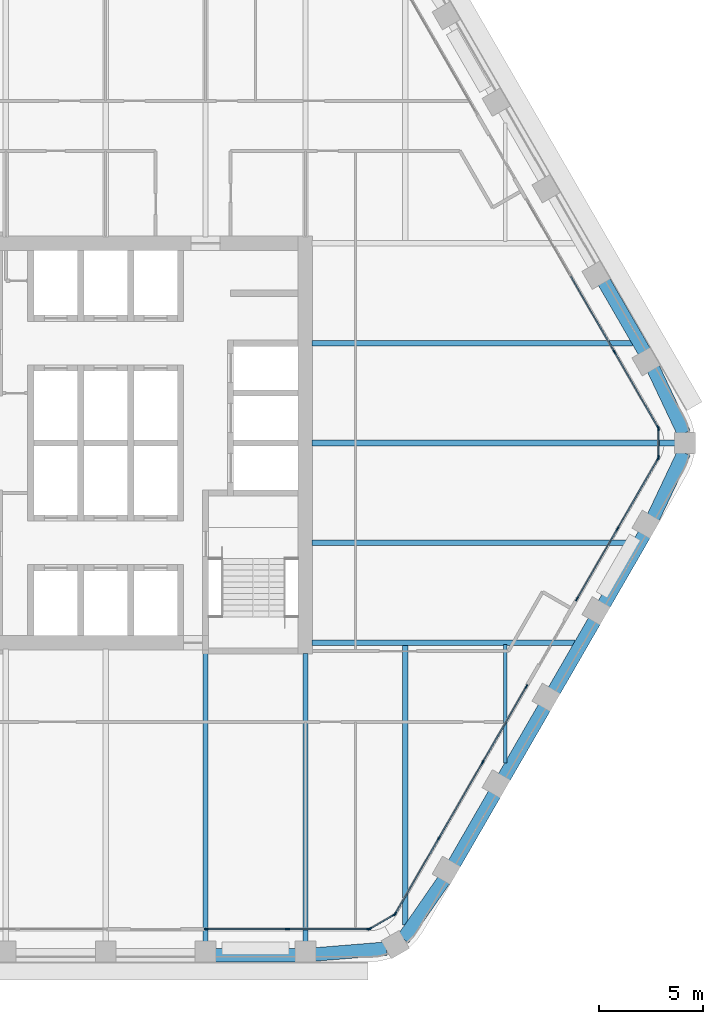
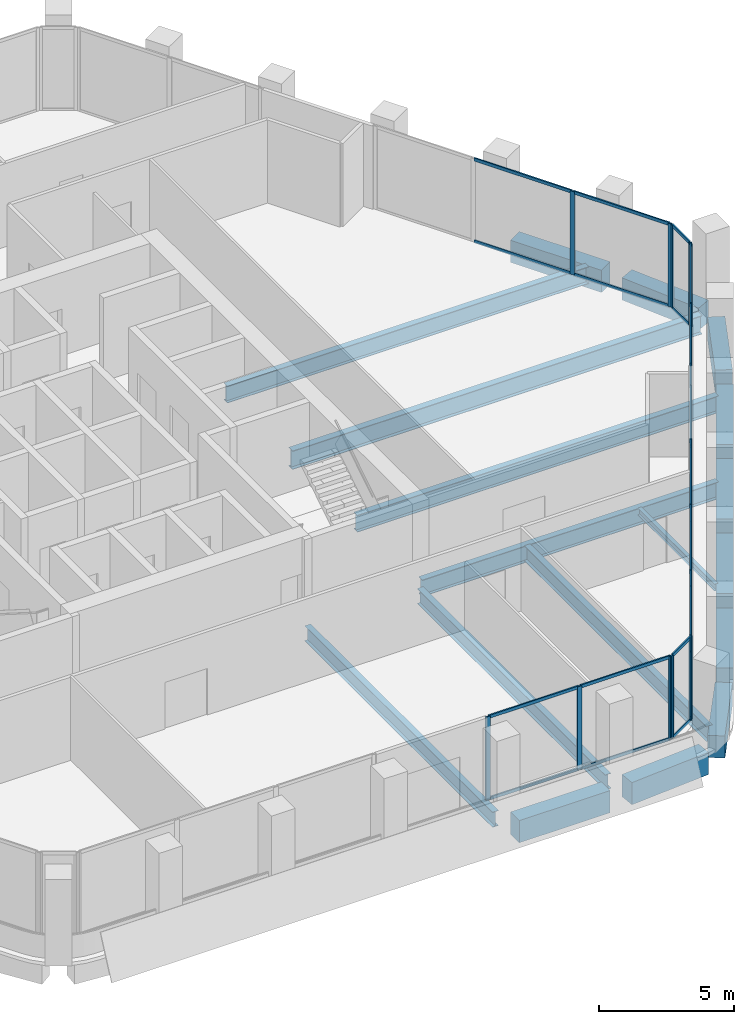
# One storey, part 4 of 15: 38 members, 18 beams, 6 elements without a shape of their own.
"""IFC4 building model written with IfcOpenShell, lengths in metres."""

from ifc_helpers import new_model, si_unit, direction, frame, origin, origin_2d, place, context, subcontext, project, spatial, rectangle, i_section, extrude, material, material_profile, profile_set, type_object, element, aggregate, save


model = new_model("IFC4")

# Units and contexts
model_context = context("Model", 3, precision=1e-05, world=origin(), true_north=direction((0.0, 1.0)))
body_context = subcontext(model_context, "Body", "Model", "MODEL_VIEW")
ifc_project = project(units=[si_unit("LENGTHUNIT", "METRE"), si_unit("AREAUNIT", "SQUARE_METRE"), si_unit("VOLUMEUNIT", "CUBIC_METRE"), si_unit("PLANEANGLEUNIT", "RADIAN"), si_unit("MASSUNIT", "GRAM", prefix="KILO")], contexts=[model_context])

# Site, building, storey
site_placement = place(None, origin())
site = spatial("IfcSite", under=ifc_project, at=site_placement, CompositionType="ELEMENT")
building_placement = place(site_placement, origin())
building = spatial("IfcBuilding", under=site, at=building_placement, Name="Kolab Exchange Tower", CompositionType="ELEMENT")
storey_placement = place(building_placement, frame((0.0, 0.0, 158.300048828125)))
storey = spatial("IfcBuildingStorey", under=building, at=storey_placement, Name="L32", CompositionType="ELEMENT", Elevation=158.300048828125)

# Beams
ifc_material_1 = material(Name="Steel S355", Category="steel")
ifc_material_profile_1 = material_profile(ifc_material_1, i_section(OverallWidth=0.1650390625, OverallDepth=0.31005859375, WebThickness=0.005859375, FlangeThickness=0.009765625, at=origin_2d()), Name="W310X39")
ifc_profile_set_1 = profile_set([ifc_material_profile_1], Name="Steel S355")
beam_type_1 = type_object("IfcBeamType", Name="FLOOR BEAM W310X39", PredefinedType="BEAM", material=ifc_profile_set_1)
beam_1_placement = place(storey_placement, frame((19.199951171875, -15.36767578125, -0.304931640625), z_axis=(0.0, 1.0, 0.0), x_axis=(-1.0, 0.0, 0.0)))
element("IfcBeam", 1, at=beam_1_placement, inside=storey, type_object=beam_type_1, Name="beam/L32/fr/022", PredefinedType="BEAM", context=body_context, shape_type="SweptSolid", body=[
    extrude(i_section(OverallWidth=0.1650390625, OverallDepth=0.31005859375, WebThickness=0.005859375, FlangeThickness=0.009765625, at=origin_2d()), origin(), (0.0, 0.0, 1.0), 5.674072265625),
])
ifc_material_profile_2 = material_profile(ifc_material_1, i_section(OverallWidth=0.25390625, OverallDepth=0.68408203125, WebThickness=0.012451171875, FlangeThickness=0.018798828125, at=origin_2d()), Name="W690X140")
ifc_profile_set_2 = profile_set([ifc_material_profile_2], Name="Steel S355")
beam_type_2 = type_object("IfcBeamType", Name="FLOOR BEAM W690X140", PredefinedType="BEAM", material=ifc_profile_set_2)
for number, where, z_axis, x_axis, name in (
    (2, (4.800048828125, -23.9814453125, -0.491943359375), (0.0, 1.0, 0.0), (-1.0, 0.0, 0.0), "beam/L32/fr/013"),
    (3, (9.60009765625, -23.9814453125, -0.491943359375), (0.0, 1.0, 0.0), (-1.0, 0.0, 0.0), "beam/L32/fr/015"),
):
    element("IfcBeam", number, at=place(storey_placement, frame(where, z_axis=z_axis, x_axis=x_axis)), inside=storey, type_object=beam_type_2, Name=name, PredefinedType="BEAM", context=body_context, shape_type="SweptSolid", body=[
        extrude(i_section(OverallWidth=0.25390625, OverallDepth=0.68408203125, WebThickness=0.012451171875, FlangeThickness=0.018798828125, at=origin_2d()), origin(), (0.0, 0.0, 1.0), 13.871337890625),
    ])
beam_2_placement = place(storey_placement, frame((14.39990234375, -23.15576171875, -0.491943359375), z_axis=(0.0, 1.0, 0.0), x_axis=(-1.0, 0.0, 0.0)))
element("IfcBeam", 4, at=beam_2_placement, inside=storey, type_object=beam_type_2, Name="beam/L32/fr/020", PredefinedType="BEAM", context=body_context, shape_type="SweptSolid", body=[
    extrude(i_section(OverallWidth=0.25390625, OverallDepth=0.68408203125, WebThickness=0.012451171875, FlangeThickness=0.018798828125, at=origin_2d()), origin(), (0.0, 0.0, 1.0), 13.462158203125),
])
ifc_material_profile_3 = material_profile(ifc_material_1, i_section(OverallWidth=0.26708984375, OverallDepth=0.761962890625, WebThickness=0.014404296875, FlangeThickness=0.021484375, at=origin_2d()), Name="W760X173")
ifc_profile_set_3 = profile_set([ifc_material_profile_3], Name="Steel S355")
beam_type_3 = type_object("IfcBeamType", Name="FLOOR BEAM W760X173", PredefinedType="BEAM", material=ifc_profile_set_3)
for number, where, z_axis, x_axis, name in (
    (5, (9.909912109375, -4.800048828125, -0.531005859375), (1.0, 0.0, 0.0), (0.0, 1.0, 0.0), "beam/L32/fr/017"),
    (6, (9.909912109375, 4.800048828125, -0.531005859375), (1.0, 0.0, 0.0), (0.0, 1.0, 0.0), "beam/L32/fr/019"),
):
    element("IfcBeam", number, at=place(storey_placement, frame(where, z_axis=z_axis, x_axis=x_axis)), inside=storey, type_object=beam_type_3, Name=name, PredefinedType="BEAM", context=body_context, shape_type="SweptSolid", body=[
        extrude(i_section(OverallWidth=0.26708984375, OverallDepth=0.761962890625, WebThickness=0.014404296875, FlangeThickness=0.021484375, at=origin_2d()), origin(), (0.0, 0.0, 1.0), 15.408203125),
    ])
ifc_material_profile_4 = material_profile(ifc_material_1, i_section(OverallWidth=0.2919921875, OverallDepth=0.840087890625, WebThickness=0.0146484375, FlangeThickness=0.021728515625, at=origin_2d()), Name="W840X193")
ifc_profile_set_4 = profile_set([ifc_material_profile_4], Name="Steel S355")
beam_type_4 = type_object("IfcBeamType", Name="FLOOR BEAM W840X193", PredefinedType="BEAM", material=ifc_profile_set_4)
beam_3_placement = place(storey_placement, frame((9.909912109375, 0.0, -0.570068359375), z_axis=(1.0, 0.0, 0.0), x_axis=(0.0, 1.0, 0.0)))
element("IfcBeam", 7, at=beam_3_placement, inside=storey, type_object=beam_type_4, Name="beam/L32/fr/018", PredefinedType="BEAM", context=body_context, shape_type="SweptSolid", body=[
    extrude(i_section(OverallWidth=0.2919921875, OverallDepth=0.840087890625, WebThickness=0.0146484375, FlangeThickness=0.021728515625, at=origin_2d()), origin(), (0.0, 0.0, 1.0), 17.466064453125),
])
ifc_material_profile_5 = material_profile(ifc_material_1, i_section(OverallWidth=0.26708984375, OverallDepth=0.761962890625, WebThickness=0.014404296875, FlangeThickness=0.021484375, at=origin_2d()), Name="W760X173")
ifc_profile_set_5 = profile_set([ifc_material_profile_5], Name="Steel S355")
beam_type_5 = type_object("IfcBeamType", Name="FLOOR GIRDER W760X173", PredefinedType="BEAM", material=ifc_profile_set_5)
beam_4_placement = place(storey_placement, frame((9.909912109375, -9.60009765625, -0.531005859375), z_axis=(1.0, 0.0, 0.0), x_axis=(0.0, 1.0, 0.0)))
element("IfcBeam", 8, at=beam_4_placement, inside=storey, type_object=beam_type_5, Name="beam/L32/gd/002", PredefinedType="BEAM", context=body_context, shape_type="SweptSolid", body=[
    extrude(i_section(OverallWidth=0.26708984375, OverallDepth=0.761962890625, WebThickness=0.014404296875, FlangeThickness=0.021484375, at=origin_2d()), origin(), (0.0, 0.0, 1.0), 12.636962890625),
])
ifc_material_2 = material(Name="Concrete C60/75", Category="concrete")
ifc_material_profile_6 = material_profile(ifc_material_2, rectangle(XDim=0.64990234375, YDim=1.0, at=origin_2d()), Name="RC650X1000")
ifc_profile_set_6 = profile_set([ifc_material_profile_6], Name="Concrete C60/75")
beam_type_6 = type_object("IfcBeamType", Name="SPANDREL BEAM 650X1000 C60/75", PredefinedType="BEAM", material=ifc_profile_set_6)
beam_5_placement = place(storey_placement, frame((23.948486328125, 7.7529296875, -0.650146484375), z_axis=(0.499996613652, -0.866027358884, 0.0), x_axis=(0.866027358884, 0.499996613652, 0.0)))
element("IfcBeam", 9, at=beam_5_placement, inside=storey, type_object=beam_type_6, Name="beam/L32/sp/F2-05", PredefinedType="BEAM", context=body_context, shape_type="SweptSolid", body=[
    extrude(rectangle(XDim=0.64990234375, YDim=1.0, at=origin_2d()), origin(), (0.0, 0.0, 1.0), 3.8798828125),
])
for number, where, z_axis, x_axis, name in (
    (10, (26.316162109375, 3.5771484375, -0.650146484375), (0.428177731975, -0.903694544545, 0.0), (0.903694544545, 0.428177731975, 0.0), "beam/L32/sp/F2-06"),
    (11, (27.791259765625, -0.4638671875, -0.650146484375), (-0.428177731975, -0.903694544545, 0.0), (0.903694544545, -0.428177731975, 0.0), "beam/L32/sp/F3-01"),
):
    element("IfcBeam", number, at=place(storey_placement, frame(where, z_axis=z_axis, x_axis=x_axis)), inside=storey, type_object=beam_type_6, Name=name, PredefinedType="BEAM", context=body_context, shape_type="SweptSolid", body=[
        extrude(rectangle(XDim=0.64990234375, YDim=1.0, at=origin_2d()), origin(), (0.0, 0.0, 1.0), 3.445068359375),
    ])
for number, where, z_axis, x_axis, name in (
    (12, (25.888427734375, -4.392822265625, -0.650146484375), (-0.499996613652, -0.866027358884, 0.0), (0.866027358884, -0.499996613652, 0.0), "beam/L32/sp/F3-02"),
    (13, (23.488525390625, -8.5498046875, -0.650146484375), (-0.499996613652, -0.866027358884, 0.0), (0.866027358884, -0.499996613652, 0.0), "beam/L32/sp/F3-03"),
):
    element("IfcBeam", number, at=place(storey_placement, frame(where, z_axis=z_axis, x_axis=x_axis)), inside=storey, type_object=beam_type_6, Name=name, PredefinedType="BEAM", context=body_context, shape_type="SweptSolid", body=[
        extrude(rectangle(XDim=0.64990234375, YDim=1.0, at=origin_2d()), origin(), (0.0, 0.0, 1.0), 3.8798828125),
    ])
beam_6_placement = place(storey_placement, frame((21.088623046875, -12.70654296875, -0.650146484375), z_axis=(-0.50001655835, -0.866015843605, 0.0), x_axis=(0.866015843605, -0.50001655835, 0.0)))
element("IfcBeam", 14, at=beam_6_placement, inside=storey, type_object=beam_type_6, Name="beam/L32/sp/F3-04", PredefinedType="BEAM", context=body_context, shape_type="SweptSolid", body=[
    extrude(rectangle(XDim=0.64990234375, YDim=1.0, at=origin_2d()), origin(), (0.0, 0.0, 1.0), 3.880126953125),
])
beam_7_placement = place(storey_placement, frame((18.6884765625, -16.863525390625, -0.650146484375), z_axis=(-0.499996613652, -0.866027358884, 0.0), x_axis=(0.866027358884, -0.499996613652, 0.0)))
element("IfcBeam", 15, at=beam_7_placement, inside=storey, type_object=beam_type_6, Name="beam/L32/sp/F3-05", PredefinedType="BEAM", context=body_context, shape_type="SweptSolid", body=[
    extrude(rectangle(XDim=0.64990234375, YDim=1.0, at=origin_2d()), origin(), (0.0, 0.0, 1.0), 3.8798828125),
])
for number, where, z_axis, x_axis, name in (
    (16, (16.256103515625, -21.001953125, -0.650146484375), (-0.568572281073, -0.822633309073, 0.0), (0.822633309073, -0.568572281073, 0.0), "beam/L32/sp/F3-06"),
    (17, (13.493896484375, -24.2998046875, -0.650146484375), (-0.996708497182, -0.081068931445, 0.0), (0.081068931445, -0.996708497182, 0.0), "beam/L32/sp/F4-01"),
):
    element("IfcBeam", number, at=place(storey_placement, frame(where, z_axis=z_axis, x_axis=x_axis)), inside=storey, type_object=beam_type_6, Name=name, PredefinedType="BEAM", context=body_context, shape_type="SweptSolid", body=[
        extrude(rectangle(XDim=0.64990234375, YDim=1.0, at=origin_2d()), origin(), (0.0, 0.0, 1.0), 3.445068359375),
    ])
beam_8_placement = place(storey_placement, frame((9.139892578125, -24.616455078125, -0.650146484375), z_axis=(-1.0, 0.0, 0.0), x_axis=(0.0, -1.0, 0.0)))
element("IfcBeam", 18, at=beam_8_placement, inside=storey, type_object=beam_type_6, Name="beam/L32/sp/F4-02", PredefinedType="BEAM", context=body_context, shape_type="SweptSolid", body=[
    extrude(rectangle(XDim=0.64990234375, YDim=1.0, at=origin_2d()), origin(), (0.0, 0.0, 1.0), 3.8798828125),
])

# Curtain wall, members
ifc_material_3 = material(Name="Aluminium EN AW-6063 T6", Category="aluminium")
curtain_wall_type = type_object("IfcCurtainWallType", Name="UNITISED UPPER MID ZONE CURTAIN WALL", PredefinedType="NOTDEFINED", material=ifc_material_3)
curtain_wall_1_placement = place(storey_placement, origin())
curtain_wall_1 = element("IfcCurtainWall", 19, at=curtain_wall_1_placement, inside=storey, type_object=curtain_wall_type, Name="cw/L32/F2-2", PredefinedType="NOTDEFINED")
ifc_material_profile_7 = material_profile(ifc_material_3, rectangle(XDim=0.06005859375, YDim=0.199951171875, at=origin_2d()), Name="RECT 60X200")
ifc_profile_set_7 = profile_set([ifc_material_profile_7], Name="Aluminium EN AW-6063 T6")
member_type_1 = type_object("IfcMemberType", Name="UNITISED UPPER MID ZONE MULLION 60 X 200", PredefinedType="MULLION", material=ifc_profile_set_7)
member_1_placement = place(storey_placement, frame((24.454345703125, 4.366943359375, 0.0), z_axis=(0.0, 0.0, 1.0), x_axis=(0.866025427826, 0.499999958358, 0.0)))
member_1 = element("IfcMember", 20, at=member_1_placement, type_object=member_type_1, Name="CW3 mullion 3", PredefinedType="MULLION", context=body_context, shape_type="SweptSolid", body=[
    extrude(rectangle(XDim=0.06005859375, YDim=0.199951171875, at=origin_2d()), origin(), (0.0, 0.0, 1.0), 3.75),
])
member_2_placement = place(storey_placement, frame((26.550537109375, 0.736083984375, 0.0), z_axis=(0.0, 0.0, 1.0), x_axis=(0.866025427826, 0.499999958358, 0.0)))
member_2 = element("IfcMember", 21, at=member_2_placement, type_object=member_type_1, Name="CW3 mullion 4", PredefinedType="MULLION", context=body_context, shape_type="SweptSolid", body=[
    extrude(rectangle(XDim=0.06005859375, YDim=0.199951171875, at=origin_2d()), origin(), (0.0, 0.0, 1.0), 3.75),
])

curtain_wall_2_placement = place(storey_placement, origin())
curtain_wall_2 = element("IfcCurtainWall", 22, at=curtain_wall_2_placement, inside=storey, type_object=curtain_wall_type, Name="cw/L32/F3-1", PredefinedType="NOTDEFINED")
member_3_placement = place(storey_placement, frame((26.550537109375, -0.736083984375, 0.0), z_axis=(0.0, 0.0, 1.0), x_axis=(0.866025440524, -0.499999936366, 0.0)))
member_3 = element("IfcMember", 23, at=member_3_placement, type_object=member_type_1, Name="CW3 mullion 1", PredefinedType="MULLION", context=body_context, shape_type="SweptSolid", body=[
    extrude(rectangle(XDim=0.06005859375, YDim=0.199951171875, at=origin_2d()), origin(), (0.0, 0.0, 1.0), 3.75),
])
member_4_placement = place(storey_placement, frame((24.5986328125, -4.116943359375, 0.0), z_axis=(0.0, 0.0, 1.0), x_axis=(0.866025440524, -0.499999936366, 0.0)))
member_4 = element("IfcMember", 24, at=member_4_placement, type_object=member_type_1, Name="CW3 mullion 2", PredefinedType="MULLION", context=body_context, shape_type="SweptSolid", body=[
    extrude(rectangle(XDim=0.06005859375, YDim=0.199951171875, at=origin_2d()), origin(), (0.0, 0.0, 1.0), 3.75),
])
member_5_placement = place(storey_placement, frame((22.646728515625, -7.497802734375, 0.0), z_axis=(0.0, 0.0, 1.0), x_axis=(0.866025440524, -0.499999936366, 0.0)))
member_5 = element("IfcMember", 25, at=member_5_placement, type_object=member_type_1, Name="CW3 mullion 3", PredefinedType="MULLION", context=body_context, shape_type="SweptSolid", body=[
    extrude(rectangle(XDim=0.06005859375, YDim=0.199951171875, at=origin_2d()), origin(), (0.0, 0.0, 1.0), 3.75),
])

curtain_wall_3_placement = place(storey_placement, origin())
curtain_wall_3 = element("IfcCurtainWall", 26, at=curtain_wall_3_placement, inside=storey, type_object=curtain_wall_type, Name="cw/L32/F3-2", PredefinedType="NOTDEFINED")
member_6_placement = place(storey_placement, frame((20.216796875, -11.706787109375, 0.0), z_axis=(0.0, 0.0, 1.0), x_axis=(0.866025393644, -0.500000017564, 0.0)))
member_6 = element("IfcMember", 27, at=member_6_placement, type_object=member_type_1, Name="CW3 mullion 1", PredefinedType="MULLION", context=body_context, shape_type="SweptSolid", body=[
    extrude(rectangle(XDim=0.06005859375, YDim=0.199951171875, at=origin_2d()), origin(), (0.0, 0.0, 1.0), 3.75),
])
member_7_placement = place(storey_placement, frame((18.120361328125, -15.337646484375, 0.0), z_axis=(0.0, 0.0, 1.0), x_axis=(0.866025393644, -0.500000017564, 0.0)))
member_7 = element("IfcMember", 28, at=member_7_placement, type_object=member_type_1, Name="CW3 mullion 2", PredefinedType="MULLION", context=body_context, shape_type="SweptSolid", body=[
    extrude(rectangle(XDim=0.06005859375, YDim=0.199951171875, at=origin_2d()), origin(), (0.0, 0.0, 1.0), 3.75),
])
member_8_placement = place(storey_placement, frame((16.009033203125, -18.99462890625, 0.0), z_axis=(0.0, 0.0, 1.0), x_axis=(0.866025393644, -0.500000017564, 0.0)))
member_8 = element("IfcMember", 29, at=member_8_placement, type_object=member_type_1, Name="CW3 mullion 3", PredefinedType="MULLION", context=body_context, shape_type="SweptSolid", body=[
    extrude(rectangle(XDim=0.06005859375, YDim=0.199951171875, at=origin_2d()), origin(), (0.0, 0.0, 1.0), 3.75),
])
member_9_placement = place(storey_placement, frame((13.91259765625, -22.62548828125, 0.0), z_axis=(0.0, 0.0, 1.0), x_axis=(0.866025393644, -0.500000017564, 0.0)))
member_9 = element("IfcMember", 30, at=member_9_placement, type_object=member_type_1, Name="CW3 mullion 4", PredefinedType="MULLION", context=body_context, shape_type="SweptSolid", body=[
    extrude(rectangle(XDim=0.06005859375, YDim=0.199951171875, at=origin_2d()), origin(), (0.0, 0.0, 1.0), 3.75),
])

curtain_wall_4_placement = place(storey_placement, origin())
curtain_wall_4 = element("IfcCurtainWall", 31, at=curtain_wall_4_placement, inside=storey, type_object=curtain_wall_type, Name="cw/L32/F4-1", PredefinedType="NOTDEFINED")
member_10_placement = place(storey_placement, frame((12.637939453125, -23.361572265625, 0.0), z_axis=(0.0, 0.0, 1.0), x_axis=(0.0, -1.0, 0.0)))
member_10 = element("IfcMember", 32, at=member_10_placement, type_object=member_type_1, Name="CW3 mullion 1", PredefinedType="MULLION", context=body_context, shape_type="SweptSolid", body=[
    extrude(rectangle(XDim=0.06005859375, YDim=0.199951171875, at=origin_2d()), origin(), (0.0, 0.0, 1.0), 3.75),
])
member_11_placement = place(storey_placement, frame((8.73388671875, -23.361572265625, 0.0), z_axis=(0.0, 0.0, 1.0), x_axis=(0.0, -1.0, 0.0)))
member_11 = element("IfcMember", 33, at=member_11_placement, type_object=member_type_1, Name="CW3 mullion 2", PredefinedType="MULLION", context=body_context, shape_type="SweptSolid", body=[
    extrude(rectangle(XDim=0.06005859375, YDim=0.199951171875, at=origin_2d()), origin(), (0.0, 0.0, 1.0), 3.75),
])
member_12_placement = place(storey_placement, frame((4.830078125, -23.361572265625, 0.0), z_axis=(0.0, 0.0, 1.0), x_axis=(0.0, -1.0, 0.0)))
member_12 = element("IfcMember", 34, at=member_12_placement, type_object=member_type_1, Name="CW3 mullion 3", PredefinedType="MULLION", context=body_context, shape_type="SweptSolid", body=[
    extrude(rectangle(XDim=0.06005859375, YDim=0.199951171875, at=origin_2d()), origin(), (0.0, 0.0, 1.0), 3.75),
])

curtain_wall_5_placement = place(storey_placement, origin())
curtain_wall_5 = element("IfcCurtainWall", 35, at=curtain_wall_5_placement, inside=storey, type_object=curtain_wall_type, Name="cw/L32/F2F3-corner", PredefinedType="NOTDEFINED")
member_13_placement = place(storey_placement, frame((26.565673828125, 0.679931640625, 0.0), z_axis=(0.0, 0.0, 1.0), x_axis=(1.0, 0.0, 0.0)))
member_13 = element("IfcMember", 36, at=member_13_placement, type_object=member_type_1, Name="CW3 mullion 1", PredefinedType="MULLION", context=body_context, shape_type="SweptSolid", body=[
    extrude(rectangle(XDim=0.06005859375, YDim=0.199951171875, at=origin_2d()), origin(), (0.0, 0.0, 1.0), 3.75),
])
member_14_placement = place(storey_placement, frame((26.565673828125, -0.679931640625, 0.0), z_axis=(0.0, 0.0, 1.0), x_axis=(1.0, 0.0, 0.0)))
member_14 = element("IfcMember", 37, at=member_14_placement, type_object=member_type_1, Name="CW3 mullion 2", PredefinedType="MULLION", context=body_context, shape_type="SweptSolid", body=[
    extrude(rectangle(XDim=0.06005859375, YDim=0.199951171875, at=origin_2d()), origin(), (0.0, 0.0, 1.0), 3.75),
])

curtain_wall_6_placement = place(storey_placement, origin())
curtain_wall_6 = element("IfcCurtainWall", 38, at=curtain_wall_6_placement, inside=storey, type_object=curtain_wall_type, Name="cw/L32/F3F4-corner", PredefinedType="NOTDEFINED")
member_15_placement = place(storey_placement, frame((13.871826171875, -22.66650390625, 0.0), z_axis=(0.0, 0.0, 1.0), x_axis=(0.50000002237, -0.866025390869, 0.0)))
member_15 = element("IfcMember", 39, at=member_15_placement, type_object=member_type_1, Name="CW3 mullion 1", PredefinedType="MULLION", context=body_context, shape_type="SweptSolid", body=[
    extrude(rectangle(XDim=0.06005859375, YDim=0.199951171875, at=origin_2d()), origin(), (0.0, 0.0, 1.0), 3.75),
])
member_16_placement = place(storey_placement, frame((12.69384765625, -23.346435546875, 0.0), z_axis=(0.0, 0.0, 1.0), x_axis=(0.50000002237, -0.866025390869, 0.0)))
member_16 = element("IfcMember", 40, at=member_16_placement, type_object=member_type_1, Name="CW3 mullion 2", PredefinedType="MULLION", context=body_context, shape_type="SweptSolid", body=[
    extrude(rectangle(XDim=0.06005859375, YDim=0.199951171875, at=origin_2d()), origin(), (0.0, 0.0, 1.0), 3.75),
])

# Member
ifc_material_profile_8 = material_profile(ifc_material_3, rectangle(XDim=0.06005859375, YDim=0.139892578125, at=origin_2d()), Name="RECT 60X140")
ifc_profile_set_8 = profile_set([ifc_material_profile_8], Name="Aluminium EN AW-6063 T6")
member_type_2 = type_object("IfcMemberType", Name="UNITISED UPPER MID ZONE TRANSOM 60 X 140", PredefinedType="USERDEFINED", material=ifc_profile_set_8)
member_17_placement = place(storey_placement, frame((22.35791015625, 7.997802734375, 0.030029296875), z_axis=(0.49999322259, -0.866029316688, 0.0), x_axis=(0.866029316688, 0.49999322259, 0.0)))
member_17 = element("IfcMember", 41, at=member_17_placement, type_object=member_type_2, Name="CW3 transom 2.1", ObjectType="TRANSOM", PredefinedType="USERDEFINED", context=body_context, shape_type="SweptSolid", body=[
    extrude(rectangle(XDim=0.06005859375, YDim=0.139892578125, at=origin_2d()), origin(), (0.0, 0.0, 1.0), 4.16259765625),
])

member_18_placement = place(storey_placement, frame((22.35791015625, 7.997802734375, 3.719970703125), z_axis=(0.49999322259, -0.866029316688, 0.0), x_axis=(0.866029316688, 0.49999322259, 0.0)))
member_18 = element("IfcMember", 42, at=member_18_placement, type_object=member_type_2, Name="CW3 transom 2.2", ObjectType="TRANSOM", PredefinedType="USERDEFINED", context=body_context, shape_type="SweptSolid", body=[
    extrude(rectangle(XDim=0.06005859375, YDim=0.139892578125, at=origin_2d()), origin(), (0.0, 0.0, 1.0), 4.16259765625),
])

member_19_placement = place(storey_placement, frame((24.46923828125, 4.3408203125, 0.030029296875), z_axis=(0.500027577057, -0.866009481578, 0.0), x_axis=(0.866009481578, 0.500027577057, 0.0)))
member_19 = element("IfcMember", 43, at=member_19_placement, type_object=member_type_2, Name="CW3 transom 3.1", ObjectType="TRANSOM", PredefinedType="USERDEFINED", context=body_context, shape_type="SweptSolid", body=[
    extrude(rectangle(XDim=0.06005859375, YDim=0.139892578125, at=origin_2d()), origin(), (0.0, 0.0, 1.0), 4.132568359375),
])

member_20_placement = place(storey_placement, frame((24.46923828125, 4.3408203125, 3.719970703125), z_axis=(0.500027577057, -0.866009481578, 0.0), x_axis=(0.866009481578, 0.500027577057, 0.0)))
member_20 = element("IfcMember", 44, at=member_20_placement, type_object=member_type_2, Name="CW3 transom 3.2", ObjectType="TRANSOM", PredefinedType="USERDEFINED", context=body_context, shape_type="SweptSolid", body=[
    extrude(rectangle(XDim=0.06005859375, YDim=0.139892578125, at=origin_2d()), origin(), (0.0, 0.0, 1.0), 4.132568359375),
])

aggregate(curtain_wall_1, [member_1, member_2, member_17, member_18, member_19, member_20])

member_21_placement = place(storey_placement, frame((26.53564453125, -0.761962890625, 0.030029296875), z_axis=(-0.499991857942, -0.866030104553, 0.0), x_axis=(0.866030104553, -0.499991857942, 0.0)))
member_21 = element("IfcMember", 45, at=member_21_placement, type_object=member_type_2, Name="CW3 transom 1.1", ObjectType="TRANSOM", PredefinedType="USERDEFINED", context=body_context, shape_type="SweptSolid", body=[
    extrude(rectangle(XDim=0.06005859375, YDim=0.139892578125, at=origin_2d()), origin(), (0.0, 0.0, 1.0), 3.84375),
])

member_22_placement = place(storey_placement, frame((26.53564453125, -0.761962890625, 3.719970703125), z_axis=(-0.499991857942, -0.866030104553, 0.0), x_axis=(0.866030104553, -0.499991857942, 0.0)))
member_22 = element("IfcMember", 46, at=member_22_placement, type_object=member_type_2, Name="CW3 transom 1.2", ObjectType="TRANSOM", PredefinedType="USERDEFINED", context=body_context, shape_type="SweptSolid", body=[
    extrude(rectangle(XDim=0.06005859375, YDim=0.139892578125, at=origin_2d()), origin(), (0.0, 0.0, 1.0), 3.84375),
])

member_23_placement = place(storey_placement, frame((24.583740234375, -4.142822265625, 0.030029296875), z_axis=(-0.500011990396, -0.866018481016, 0.0), x_axis=(0.866018481016, -0.500011990396, 0.0)))
member_23 = element("IfcMember", 47, at=member_23_placement, type_object=member_type_2, Name="CW3 transom 2.1", ObjectType="TRANSOM", PredefinedType="USERDEFINED", context=body_context, shape_type="SweptSolid", body=[
    extrude(rectangle(XDim=0.06005859375, YDim=0.139892578125, at=origin_2d()), origin(), (0.0, 0.0, 1.0), 3.84423828125),
])

member_24_placement = place(storey_placement, frame((24.583740234375, -4.142822265625, 3.719970703125), z_axis=(-0.500011990396, -0.866018481016, 0.0), x_axis=(0.866018481016, -0.500011990396, 0.0)))
member_24 = element("IfcMember", 48, at=member_24_placement, type_object=member_type_2, Name="CW3 transom 2.2", ObjectType="TRANSOM", PredefinedType="USERDEFINED", context=body_context, shape_type="SweptSolid", body=[
    extrude(rectangle(XDim=0.06005859375, YDim=0.139892578125, at=origin_2d()), origin(), (0.0, 0.0, 1.0), 3.84423828125),
])

aggregate(curtain_wall_2, [member_3, member_4, member_5, member_21, member_22, member_23, member_24])

member_25_placement = place(storey_placement, frame((20.20166015625, -11.732666015625, 0.030029296875), z_axis=(-0.500001996123, -0.866024251319, 0.0), x_axis=(0.866024251319, -0.500001996123, 0.0)))
member_25 = element("IfcMember", 49, at=member_25_placement, type_object=member_type_2, Name="CW3 transom 1.1", ObjectType="TRANSOM", PredefinedType="USERDEFINED", context=body_context, shape_type="SweptSolid", body=[
    extrude(rectangle(XDim=0.06005859375, YDim=0.139892578125, at=origin_2d()), origin(), (0.0, 0.0, 1.0), 4.1328125),
])

member_26_placement = place(storey_placement, frame((20.20166015625, -11.732666015625, 3.719970703125), z_axis=(-0.500001996123, -0.866024251319, 0.0), x_axis=(0.866024251319, -0.500001996123, 0.0)))
member_26 = element("IfcMember", 50, at=member_26_placement, type_object=member_type_2, Name="CW3 transom 1.2", ObjectType="TRANSOM", PredefinedType="USERDEFINED", context=body_context, shape_type="SweptSolid", body=[
    extrude(rectangle(XDim=0.06005859375, YDim=0.139892578125, at=origin_2d()), origin(), (0.0, 0.0, 1.0), 4.1328125),
])

member_27_placement = place(storey_placement, frame((18.10546875, -15.36376953125, 0.030029296875), z_axis=(-0.500037208726, -0.86600392025, 0.0), x_axis=(0.86600392025, -0.500037208726, 0.0)))
member_27 = element("IfcMember", 51, at=member_27_placement, type_object=member_type_2, Name="CW3 transom 2.1", ObjectType="TRANSOM", PredefinedType="USERDEFINED", context=body_context, shape_type="SweptSolid", body=[
    extrude(rectangle(XDim=0.06005859375, YDim=0.139892578125, at=origin_2d()), origin(), (0.0, 0.0, 1.0), 4.162841796875),
])

member_28_placement = place(storey_placement, frame((18.10546875, -15.36376953125, 3.719970703125), z_axis=(-0.500037208726, -0.86600392025, 0.0), x_axis=(0.86600392025, -0.500037208726, 0.0)))
member_28 = element("IfcMember", 52, at=member_28_placement, type_object=member_type_2, Name="CW3 transom 2.2", ObjectType="TRANSOM", PredefinedType="USERDEFINED", context=body_context, shape_type="SweptSolid", body=[
    extrude(rectangle(XDim=0.06005859375, YDim=0.139892578125, at=origin_2d()), origin(), (0.0, 0.0, 1.0), 4.162841796875),
])

member_29_placement = place(storey_placement, frame((15.994140625, -19.0205078125, 0.030029296875), z_axis=(-0.500001996123, -0.866024251319, 0.0), x_axis=(0.866024251319, -0.500001996123, 0.0)))
member_29 = element("IfcMember", 53, at=member_29_placement, type_object=member_type_2, Name="CW3 transom 3.1", ObjectType="TRANSOM", PredefinedType="USERDEFINED", context=body_context, shape_type="SweptSolid", body=[
    extrude(rectangle(XDim=0.06005859375, YDim=0.139892578125, at=origin_2d()), origin(), (0.0, 0.0, 1.0), 4.1328125),
])

member_30_placement = place(storey_placement, frame((15.994140625, -19.0205078125, 3.719970703125), z_axis=(-0.500001996123, -0.866024251319, 0.0), x_axis=(0.866024251319, -0.500001996123, 0.0)))
member_30 = element("IfcMember", 54, at=member_30_placement, type_object=member_type_2, Name="CW3 transom 3.2", ObjectType="TRANSOM", PredefinedType="USERDEFINED", context=body_context, shape_type="SweptSolid", body=[
    extrude(rectangle(XDim=0.06005859375, YDim=0.139892578125, at=origin_2d()), origin(), (0.0, 0.0, 1.0), 4.1328125),
])

aggregate(curtain_wall_3, [member_6, member_7, member_8, member_9, member_25, member_26, member_27, member_28, member_29, member_30])

member_31_placement = place(storey_placement, frame((12.60791015625, -23.361572265625, 0.030029296875), z_axis=(-1.0, 0.0, 0.0), x_axis=(0.0, -1.0, 0.0)))
member_31 = element("IfcMember", 55, at=member_31_placement, type_object=member_type_2, Name="CW3 transom 1.1", ObjectType="TRANSOM", PredefinedType="USERDEFINED", context=body_context, shape_type="SweptSolid", body=[
    extrude(rectangle(XDim=0.06005859375, YDim=0.139892578125, at=origin_2d()), origin(), (0.0, 0.0, 1.0), 3.843994140625),
])

member_32_placement = place(storey_placement, frame((12.60791015625, -23.361572265625, 3.719970703125), z_axis=(-1.0, 0.0, 0.0), x_axis=(0.0, -1.0, 0.0)))
member_32 = element("IfcMember", 56, at=member_32_placement, type_object=member_type_2, Name="CW3 transom 1.2", ObjectType="TRANSOM", PredefinedType="USERDEFINED", context=body_context, shape_type="SweptSolid", body=[
    extrude(rectangle(XDim=0.06005859375, YDim=0.139892578125, at=origin_2d()), origin(), (0.0, 0.0, 1.0), 3.843994140625),
])

member_33_placement = place(storey_placement, frame((8.703857421875, -23.361572265625, 0.030029296875), z_axis=(-1.0, 0.0, 0.0), x_axis=(0.0, -1.0, 0.0)))
member_33 = element("IfcMember", 57, at=member_33_placement, type_object=member_type_2, Name="CW3 transom 2.1", ObjectType="TRANSOM", PredefinedType="USERDEFINED", context=body_context, shape_type="SweptSolid", body=[
    extrude(rectangle(XDim=0.06005859375, YDim=0.139892578125, at=origin_2d()), origin(), (0.0, 0.0, 1.0), 3.84375),
])

member_34_placement = place(storey_placement, frame((8.703857421875, -23.361572265625, 3.719970703125), z_axis=(-1.0, 0.0, 0.0), x_axis=(0.0, -1.0, 0.0)))
member_34 = element("IfcMember", 58, at=member_34_placement, type_object=member_type_2, Name="CW3 transom 2.2", ObjectType="TRANSOM", PredefinedType="USERDEFINED", context=body_context, shape_type="SweptSolid", body=[
    extrude(rectangle(XDim=0.06005859375, YDim=0.139892578125, at=origin_2d()), origin(), (0.0, 0.0, 1.0), 3.84375),
])

aggregate(curtain_wall_4, [member_10, member_11, member_12, member_31, member_32, member_33, member_34])

member_35_placement = place(storey_placement, frame((26.565673828125, 0.64990234375, 0.030029296875), z_axis=(0.0, -1.0, 0.0), x_axis=(1.0, 0.0, 0.0)))
member_35 = element("IfcMember", 59, at=member_35_placement, type_object=member_type_2, Name="CW3 transom 1.1", ObjectType="TRANSOM", PredefinedType="USERDEFINED", context=body_context, shape_type="SweptSolid", body=[
    extrude(rectangle(XDim=0.06005859375, YDim=0.139892578125, at=origin_2d()), origin(), (0.0, 0.0, 1.0), 1.2998046875),
])

member_36_placement = place(storey_placement, frame((26.565673828125, 0.64990234375, 3.719970703125), z_axis=(0.0, -1.0, 0.0), x_axis=(1.0, 0.0, 0.0)))
member_36 = element("IfcMember", 60, at=member_36_placement, type_object=member_type_2, Name="CW3 transom 1.2", ObjectType="TRANSOM", PredefinedType="USERDEFINED", context=body_context, shape_type="SweptSolid", body=[
    extrude(rectangle(XDim=0.06005859375, YDim=0.139892578125, at=origin_2d()), origin(), (0.0, 0.0, 1.0), 1.2998046875),
])

aggregate(curtain_wall_5, [member_13, member_14, member_35, member_36])

member_37_placement = place(storey_placement, frame((13.845703125, -22.681640625, 0.030029296875), z_axis=(-0.86603858612, -0.49997716683, 0.0), x_axis=(0.49997716683, -0.86603858612, 0.0)))
member_37 = element("IfcMember", 61, at=member_37_placement, type_object=member_type_2, Name="CW3 transom 1.1", ObjectType="TRANSOM", PredefinedType="USERDEFINED", context=body_context, shape_type="SweptSolid", body=[
    extrude(rectangle(XDim=0.06005859375, YDim=0.139892578125, at=origin_2d()), origin(), (0.0, 0.0, 1.0), 1.2998046875),
])

member_38_placement = place(storey_placement, frame((13.845703125, -22.681640625, 3.719970703125), z_axis=(-0.86603858612, -0.49997716683, 0.0), x_axis=(0.49997716683, -0.86603858612, 0.0)))
member_38 = element("IfcMember", 62, at=member_38_placement, type_object=member_type_2, Name="CW3 transom 1.2", ObjectType="TRANSOM", PredefinedType="USERDEFINED", context=body_context, shape_type="SweptSolid", body=[
    extrude(rectangle(XDim=0.06005859375, YDim=0.139892578125, at=origin_2d()), origin(), (0.0, 0.0, 1.0), 1.2998046875),
])

aggregate(curtain_wall_6, [member_15, member_16, member_37, member_38])

save(model, "model.ifc")
